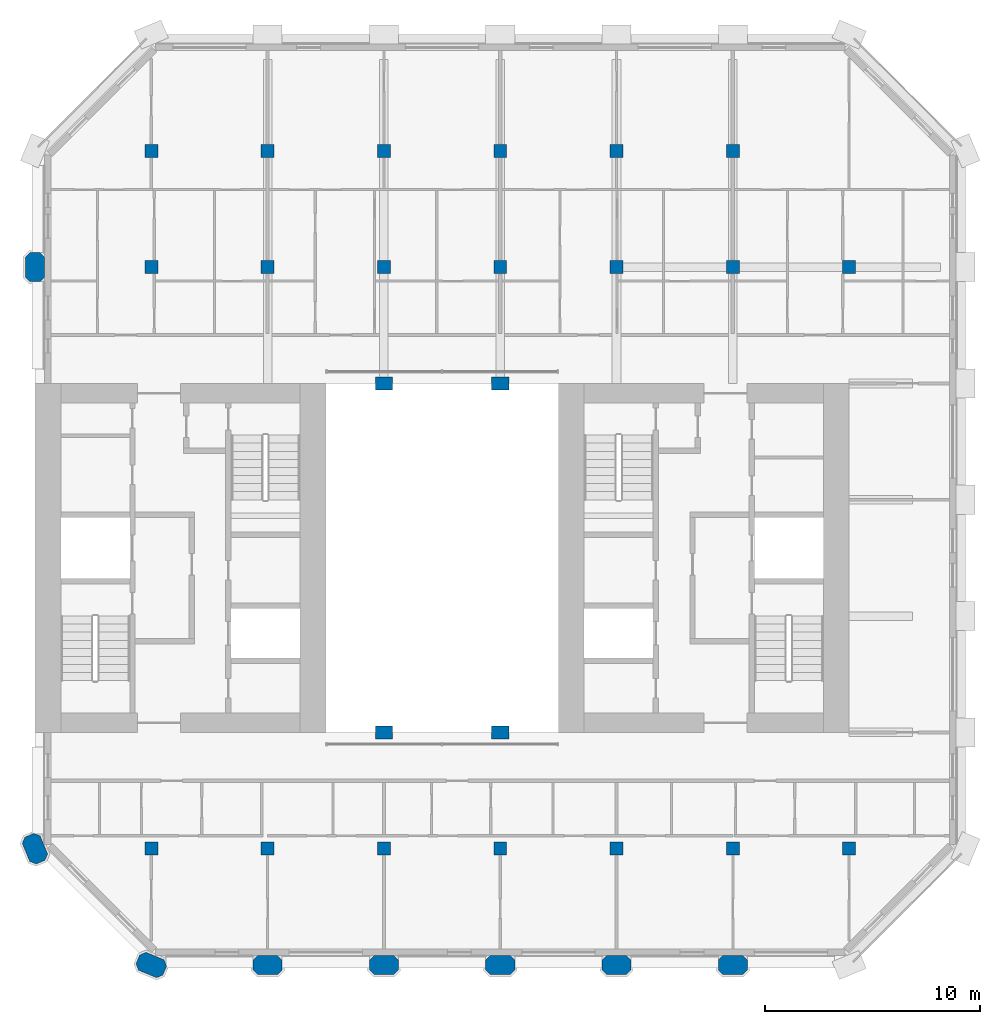
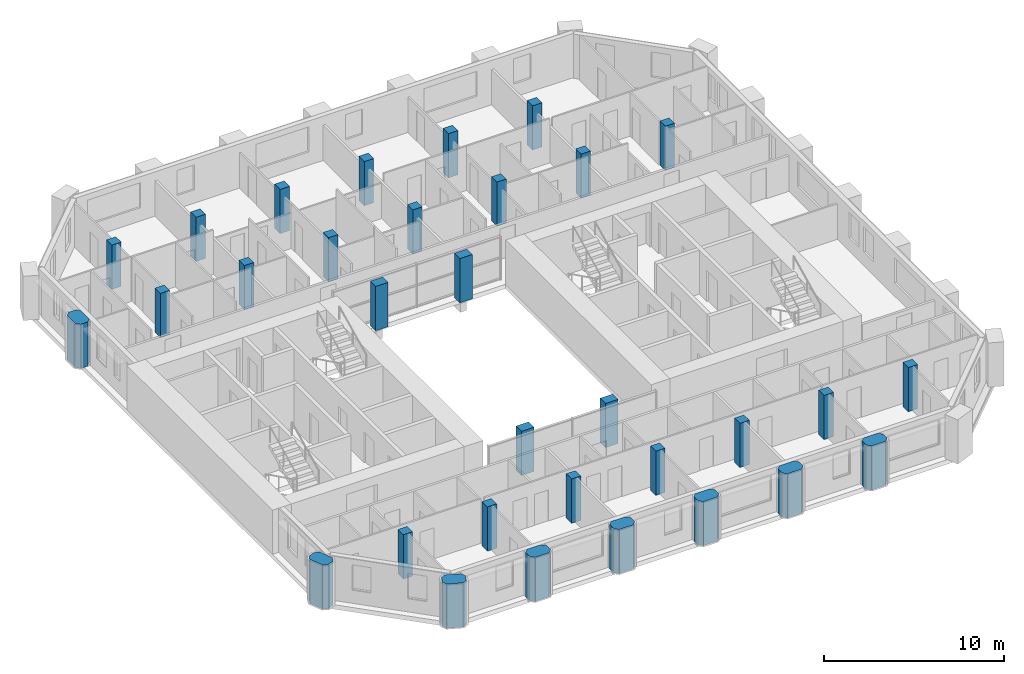
# One storey, part 1 of 13: 32 columns.
"""IFC4 building model written with IfcOpenShell, lengths in metres."""

import ifcopenshell
import ifcopenshell.guid

model = None  # the IFC model being written
_history = None  # IfcOwnerHistory: only IFC2X3 demands one
_inside = {}  # id of a spatial element -> (the spatial element, [elements in it])
_under = {}  # id of a project, library or spatial element -> (it, [spatial elements below it])
_declared = {}  # id of a project -> (the project, [libraries it declares])
_typed = {}  # id of a type object -> (the type object, [elements of that type])
_made_of = {}  # id of a material, layer set ... -> (it, [elements and type objects made of it])


def new_model(schema):
    """Start an empty IFC model of exactly this schema.

    Asked for "IFC4X3", IfcOpenShell would pick the latest addendum, in which some entities
    have other attributes; the version numbers below select the first issue.
    IFC2X3 requires an IfcOwnerHistory on every rooted entity: one is made here for all.
    """
    global model, _history
    if schema == "IFC4X3":
        model = ifcopenshell.file(schema_version=(4, 3, 0, 0))
    else:
        model = ifcopenshell.file(schema=schema)
    _inside.clear()
    _under.clear()
    _declared.clear()
    _typed.clear()
    _made_of.clear()
    _history = None
    if model.schema == "IFC2X3":
        org = make("IfcOrganization", Name="unknown")
        user = make(
            "IfcPersonAndOrganization",
            ThePerson=make("IfcPerson", FamilyName="unknown"),
            TheOrganization=org,
        )
        app = make(
            "IfcApplication",
            ApplicationDeveloper=org,
            Version="unknown",
            ApplicationFullName="unknown",
            ApplicationIdentifier="unknown",
        )
        _history = make(
            "IfcOwnerHistory",
            OwningUser=user,
            OwningApplication=app,
            ChangeAction="ADDED",
            CreationDate=0,
        )
    return model


def make(cls, **values):
    """One entity of the class cls with the attributes given. An attribute that is None is left unset."""
    return model.create_entity(
        cls, **{name: value for name, value in values.items() if value is not None}
    )


def rooted(cls, **values):
    """An entity with a GlobalId (a new one), such as an element, a storey or a relation."""
    return make(cls, GlobalId=ifcopenshell.guid.new(), OwnerHistory=_history, **values)


def si_unit(unit_type, name, prefix=None):
    """IfcSIUnit, for example si_unit("LENGTHUNIT", "METRE", prefix="MILLI")."""
    return make("IfcSIUnit", UnitType=unit_type, Prefix=prefix, Name=name)


def assignment(units):
    """IfcUnitAssignment: the units of a project."""
    return None if units is None else make("IfcUnitAssignment", Units=units)


def point(xyz):
    """IfcCartesianPoint."""
    return None if xyz is None else make("IfcCartesianPoint", Coordinates=xyz)


def direction(xyz):
    """IfcDirection."""
    return None if xyz is None else make("IfcDirection", DirectionRatios=xyz)


def frame(location, z_axis=None, x_axis=None):
    """IfcAxis2Placement3D, a coordinate frame: its origin and axes. An axis left out is left unset."""
    return make(
        "IfcAxis2Placement3D",
        Location=point(location),
        Axis=direction(z_axis),
        RefDirection=direction(x_axis),
    )


def frame_2d(location, x_axis=None):
    """IfcAxis2Placement2D, a coordinate frame in the plane: its origin and x axis."""
    return make(
        "IfcAxis2Placement2D", Location=point(location), RefDirection=direction(x_axis)
    )


def origin():
    """The frame at (0, 0, 0) with its axes left unset."""
    return frame((0.0, 0.0, 0.0))


def origin_2d():
    """The frame at (0, 0) in the plane with its x axis left unset."""
    return frame_2d((0.0, 0.0))


def place(relative_to, where):
    """IfcLocalPlacement: puts the frame where relative to a parent placement (None: the world)."""
    return make(
        "IfcLocalPlacement", PlacementRelTo=relative_to, RelativePlacement=where
    )


def context(
    kind, dimensions, precision=None, world=None, true_north=None, identifier=None
):
    """IfcGeometricRepresentationContext, for example the 3D "Model" context."""
    return make(
        "IfcGeometricRepresentationContext",
        ContextIdentifier=identifier,
        ContextType=kind,
        CoordinateSpaceDimension=dimensions,
        Precision=precision,
        WorldCoordinateSystem=world,
        TrueNorth=true_north,
    )


def subcontext(parent, identifier, kind, view, scale=None):
    """IfcGeometricRepresentationSubContext, for example "Body" below "Model"."""
    return make(
        "IfcGeometricRepresentationSubContext",
        ContextIdentifier=identifier,
        ContextType=kind,
        ParentContext=parent,
        TargetScale=scale,
        TargetView=view,
    )


def project(units=None, contexts=None):
    """IfcProject with its units and contexts."""
    return rooted(
        "IfcProject",
        Name="project",
        RepresentationContexts=contexts,
        UnitsInContext=assignment(units),
    )


def spatial(cls, under=None, at=None, **own):
    """A site, building, storey or space (cls), placed at a placement, below another one or the project."""
    s = rooted(cls, ObjectPlacement=at, **own)
    if under is not None:
        _under.setdefault(under.id(), (under, []))[1].append(s)
    return s


def polyline(points):
    """IfcPolyline through the points."""
    return make("IfcPolyline", Points=[point(p) for p in points])


def profile(cls, at=None, kind="AREA", **sizes):
    """A parametric profile (cls). Its sizes go by their IFC names, for example OverallWidth=200.0."""
    return make(cls, ProfileType=kind, Position=at, **sizes)


def rectangle(**sizes):
    """IfcRectangleProfileDef."""
    return profile("IfcRectangleProfileDef", **sizes)


def outline(outer, holes=None, kind="AREA"):
    """IfcArbitraryClosedProfileDef: a profile drawn as a closed curve; with holes, ...WithVoids."""
    if holes is None:
        return make("IfcArbitraryClosedProfileDef", ProfileType=kind, OuterCurve=outer)
    return make(
        "IfcArbitraryProfileDefWithVoids",
        ProfileType=kind,
        OuterCurve=outer,
        InnerCurves=holes,
    )


def extrude(swept, where, along, depth):
    """IfcExtrudedAreaSolid: the profile swept, set in the frame where, extruded along a direction by depth."""
    return make(
        "IfcExtrudedAreaSolid",
        SweptArea=swept,
        Position=where,
        ExtrudedDirection=direction(along),
        Depth=depth,
    )


def shape(context_of_items, identifier, shape_type, items):
    """IfcShapeRepresentation: the items that make up one representation, for example the "Body"."""
    return make(
        "IfcShapeRepresentation",
        ContextOfItems=context_of_items,
        RepresentationIdentifier=identifier,
        RepresentationType=shape_type,
        Items=items,
    )


def material(Name=None, Category=None):
    """IfcMaterial."""
    return make("IfcMaterial", Name=Name, Category=Category)


def material_profile(
    of_material, cross_section, Name=None, Category=None, Priority=None
):
    """IfcMaterialProfile: a cross section and its material."""
    return make(
        "IfcMaterialProfile",
        Name=Name,
        Material=of_material,
        Profile=cross_section,
        Priority=Priority,
        Category=Category,
    )


def profile_set(profiles, Name=None, composite=None):
    """IfcMaterialProfileSet."""
    return make(
        "IfcMaterialProfileSet",
        Name=Name,
        MaterialProfiles=profiles,
        CompositeProfile=composite,
    )


def made_of(thing, what):
    """Note that an element or type object is made of a material, layer set ...; save() writes the relation."""
    if what is not None:
        _made_of.setdefault(what.id(), (what, []))[1].append(thing)
    return thing


def type_object(cls, material=None, **own):
    """A type object (cls), such as IfcWallType, which elements share."""
    return made_of(rooted(cls, **own), material)


def element(
    cls,
    number,
    at=None,
    inside=None,
    cuts=None,
    type_object=None,
    material=None,
    context=None,
    identifier="Body",
    shape_type=None,
    held_by="IfcProductDefinitionShape",
    body=None,
    shapes=None,
    **own,
):
    """One element of the class cls, such as IfcWall. Its Tag is "e" and its number.

    at: its placement. inside: the storey or other place that contains it. cuts: it is an
    opening in that element (IfcRelVoidsElement). A single representation is given by context,
    identifier, shape_type and body (its items); several are given by shapes. held_by: the class
    of the entity that holds the representations. save() writes the other relations.
    """
    e = rooted(cls, Tag="e%d" % number, ObjectPlacement=at, **own)
    if body is not None:
        shapes = [shape(context, identifier, shape_type, body)]
    if shapes is not None:
        e.Representation = make(held_by, Representations=shapes)
    if inside is not None:
        _inside.setdefault(inside.id(), (inside, []))[1].append(e)
    if cuts is not None:
        rooted(
            "IfcRelVoidsElement", RelatingBuildingElement=cuts, RelatedOpeningElement=e
        )
    if type_object is not None:
        _typed.setdefault(type_object.id(), (type_object, []))[1].append(e)
    return made_of(e, material)


def aggregate(whole, parts):
    """IfcRelAggregates: a whole, such as a stair, and the parts it consists of."""
    return rooted("IfcRelAggregates", RelatingObject=whole, RelatedObjects=parts)


def save(model, path):
    """Write the relations noted so far, then the file.

    IfcRelAggregates (storeys below a building ...), IfcRelContainedInSpatialStructure (elements
    in a storey), IfcRelDefinesByType, IfcRelAssociatesMaterial and IfcRelDeclares: one each for
    every whole, place, type object, material and project.
    """
    for whole, parts in _under.values():
        aggregate(whole, parts)
    for where, things in _inside.values():
        rooted(
            "IfcRelContainedInSpatialStructure",
            RelatedElements=things,
            RelatingStructure=where,
        )
    for kind, things in _typed.values():
        rooted("IfcRelDefinesByType", RelatedObjects=things, RelatingType=kind)
    for what, things in _made_of.values():
        rooted("IfcRelAssociatesMaterial", RelatedObjects=things, RelatingMaterial=what)
    for by, libraries in _declared.values():
        rooted("IfcRelDeclares", RelatingContext=by, RelatedDefinitions=libraries)
    model.write(path)


model = new_model("IFC4")

# Units and contexts
model_context = context("Model", 3, precision=1e-05, world=origin(), true_north=direction((0.0, 1.0)))
body_context = subcontext(model_context, "Body", "Model", "MODEL_VIEW")
ifc_project = project(units=[si_unit("LENGTHUNIT", "METRE"), si_unit("AREAUNIT", "SQUARE_METRE"), si_unit("VOLUMEUNIT", "CUBIC_METRE"), si_unit("PLANEANGLEUNIT", "RADIAN"), si_unit("MASSUNIT", "GRAM", prefix="KILO")], contexts=[model_context])

# Site, building, storey
site_placement = place(None, origin())
site = spatial("IfcSite", under=ifc_project, at=site_placement, CompositionType="ELEMENT")
building_placement = place(site_placement, origin())
building = spatial("IfcBuilding", under=site, at=building_placement, Name="Tabaq Tower and Sports Hall", CompositionType="ELEMENT")
storey_placement = place(building_placement, frame((0.0, 0.0, 291.699951171875)))
storey = spatial("IfcBuildingStorey", under=building, at=storey_placement, Name="L72", CompositionType="ELEMENT", Elevation=291.699951171875)

# Columns
ifc_material_1 = material(Name="Concrete C40/50", Category="concrete")
ifc_material_profile_1 = material_profile(ifc_material_1, rectangle(XDim=0.800048828125, YDim=0.60009765625, at=origin_2d()), Name="ATRIUM COLUMN 800x600")
ifc_profile_set_1 = profile_set([ifc_material_profile_1], Name="Concrete C40/50")
column_type_1 = type_object("IfcColumnType", Name="RC COLUMN ATRIUM COLUMN 800x600 C40/50", PredefinedType="COLUMN", material=ifc_profile_set_1)
for number, where, z_axis, x_axis, name in (
    (1, (21.60009765625, 16.199951171875, 0.0), (0.0, 0.0, 1.0), (1.0, 0.0, 0.0), "Atrium Column 5/D L72"),
    (2, (27.0, 16.199951171875, 0.0), (0.0, 0.0, 1.0), (1.0, 0.0, 0.0), "Atrium Column 6/D L72"),
    (3, (21.60009765625, 32.39990234375, 0.0), (0.0, 0.0, 1.0), (1.0, 0.0, 0.0), "Atrium Column 5/G L72"),
    (4, (27.0, 32.39990234375, 0.0), (0.0, 0.0, 1.0), (1.0, 0.0, 0.0), "Atrium Column 6/G L72"),
):
    element("IfcColumn", number, at=place(storey_placement, frame(where, z_axis=z_axis, x_axis=x_axis)), inside=storey, type_object=column_type_1, Name=name, PredefinedType="COLUMN", context=body_context, shape_type="SweptSolid", body=[
        extrude(rectangle(XDim=0.800048828125, YDim=0.60009765625, at=origin_2d()), origin(), (0.0, 0.0, 1.0), 3.0),
    ])
ifc_material_2 = material(Name="Concrete C40/50", Category="concrete")
ifc_material_profile_2 = material_profile(ifc_material_2, rectangle(XDim=0.60009765625, YDim=0.60009765625, at=origin_2d()), Name="COLUMN 600x600")
ifc_profile_set_2 = profile_set([ifc_material_profile_2], Name="Concrete C40/50")
column_type_2 = type_object("IfcColumnType", Name="RC COLUMN COLUMN 600x600 C40/50", PredefinedType="COLUMN", material=ifc_profile_set_2)
for number, where, z_axis, x_axis, name in (
    (5, (10.800048828125, 10.800048828125, 0.0), (0.0, 0.0, 1.0), (1.0, 0.0, 0.0), "Column 3/C L72"),
    (6, (16.199951171875, 10.800048828125, 0.0), (0.0, 0.0, 1.0), (1.0, 0.0, 0.0), "Column 4/C L72"),
    (7, (21.60009765625, 10.800048828125, 0.0), (0.0, 0.0, 1.0), (1.0, 0.0, 0.0), "Column 5/C L72"),
    (8, (27.0, 10.800048828125, 0.0), (0.0, 0.0, 1.0), (1.0, 0.0, 0.0), "Column 6/C L72"),
    (9, (32.39990234375, 10.800048828125, 0.0), (0.0, 0.0, 1.0), (1.0, 0.0, 0.0), "Column 7/C L72"),
    (10, (37.800048828125, 10.800048828125, 0.0), (0.0, 0.0, 1.0), (1.0, 0.0, 0.0), "Column 8/C L72"),
    (11, (43.199951171875, 10.800048828125, 0.0), (0.0, 0.0, 1.0), (1.0, 0.0, 0.0), "Column 9/C L72"),
    (12, (10.800048828125, 37.800048828125, 0.0), (0.0, 0.0, 1.0), (1.0, 0.0, 0.0), "Column 3/H L72"),
    (13, (16.199951171875, 37.800048828125, 0.0), (0.0, 0.0, 1.0), (1.0, 0.0, 0.0), "Column 4/H L72"),
    (14, (21.60009765625, 37.800048828125, 0.0), (0.0, 0.0, 1.0), (1.0, 0.0, 0.0), "Column 5/H L72"),
    (15, (27.0, 37.800048828125, 0.0), (0.0, 0.0, 1.0), (1.0, 0.0, 0.0), "Column 6/H L72"),
    (16, (32.39990234375, 37.800048828125, 0.0), (0.0, 0.0, 1.0), (1.0, 0.0, 0.0), "Column 7/H L72"),
    (17, (37.800048828125, 37.800048828125, 0.0), (0.0, 0.0, 1.0), (1.0, 0.0, 0.0), "Column 8/H L72"),
    (18, (43.199951171875, 37.800048828125, 0.0), (0.0, 0.0, 1.0), (1.0, 0.0, 0.0), "Column 9/H L72"),
    (19, (10.800048828125, 43.199951171875, 0.0), (0.0, 0.0, 1.0), (1.0, 0.0, 0.0), "Column 3/I L72"),
    (20, (16.199951171875, 43.199951171875, 0.0), (0.0, 0.0, 1.0), (1.0, 0.0, 0.0), "Column 4/I L72"),
    (21, (21.60009765625, 43.199951171875, 0.0), (0.0, 0.0, 1.0), (1.0, 0.0, 0.0), "Column 5/I L72"),
    (22, (27.0, 43.199951171875, 0.0), (0.0, 0.0, 1.0), (1.0, 0.0, 0.0), "Column 6/I L72"),
    (23, (32.39990234375, 43.199951171875, 0.0), (0.0, 0.0, 1.0), (1.0, 0.0, 0.0), "Column 7/I L72"),
    (24, (37.800048828125, 43.199951171875, 0.0), (0.0, 0.0, 1.0), (1.0, 0.0, 0.0), "Column 8/I L72"),
):
    element("IfcColumn", number, at=place(storey_placement, frame(where, z_axis=z_axis, x_axis=x_axis)), inside=storey, type_object=column_type_2, Name=name, PredefinedType="COLUMN", context=body_context, shape_type="SweptSolid", body=[
        extrude(rectangle(XDim=0.60009765625, YDim=0.60009765625, at=origin_2d()), origin(), (0.0, 0.0, 1.0), 3.0),
    ])
ifc_material_3 = material(Name="Concrete C40/50", Category="concrete")
ifc_material_profile_3 = material_profile(ifc_material_3, outline(polyline([(-0.449951171875, -0.449951171875), (0.449951171875, -0.449951171875), (0.675048828125, -0.22509765625), (0.675048828125, 0.22509765625), (0.449951171875, 0.449951171875), (-0.449951171875, 0.449951171875), (-0.675048828125, 0.22509765625), (-0.675048828125, -0.22509765625), (-0.449951171875, -0.449951171875)])), Name="PIER 1350x900")
ifc_profile_set_3 = profile_set([ifc_material_profile_3], Name="Concrete C40/50")
column_type_3 = type_object("IfcColumnType", Name="RC COLUMN PIER 1350x900 C40/50", PredefinedType="COLUMN", material=ifc_profile_set_3)
for number, where, z_axis, x_axis, name in (
    (25, (10.800048828125, 5.39990234375, 0.0), (0.0, 0.0, 1.0), (-0.923879532511, 0.382683432365, 0.0), "Pier 3/B L72"),
    (26, (16.199951171875, 5.39990234375, 0.0), (0.0, 0.0, 1.0), (1.0, 0.0, 0.0), "Pier 4/B L72"),
    (27, (21.60009765625, 5.39990234375, 0.0), (0.0, 0.0, 1.0), (1.0, 0.0, 0.0), "Pier 5/B L72"),
    (28, (27.0, 5.39990234375, 0.0), (0.0, 0.0, 1.0), (1.0, 0.0, 0.0), "Pier 6/B L72"),
    (29, (32.39990234375, 5.39990234375, 0.0), (0.0, 0.0, 1.0), (1.0, 0.0, 0.0), "Pier 7/B L72"),
    (30, (37.800048828125, 5.39990234375, 0.0), (0.0, 0.0, 1.0), (1.0, 0.0, 0.0), "Pier 8/B L72"),
    (31, (5.39990234375, 10.800048828125, 0.0), (0.0, 0.0, 1.0), (-0.382683432365, 0.923879532511, 0.0), "Pier 2/C L72"),
    (32, (5.39990234375, 37.800048828125, 0.0), (0.0, 0.0, 1.0), (0.0, 1.0, 0.0), "Pier 2/H L72"),
):
    element("IfcColumn", number, at=place(storey_placement, frame(where, z_axis=z_axis, x_axis=x_axis)), inside=storey, type_object=column_type_3, Name=name, PredefinedType="COLUMN", context=body_context, shape_type="SweptSolid", body=[
        extrude(outline(polyline([(-0.449951171875, -0.449951171875), (0.449951171875, -0.449951171875), (0.675048828125, -0.22509765625), (0.675048828125, 0.22509765625), (0.449951171875, 0.449951171875), (-0.449951171875, 0.449951171875), (-0.675048828125, 0.22509765625), (-0.675048828125, -0.22509765625), (-0.449951171875, -0.449951171875)])), origin(), (0.0, 0.0, 1.0), 3.0),
    ])

save(model, "model.ifc")
